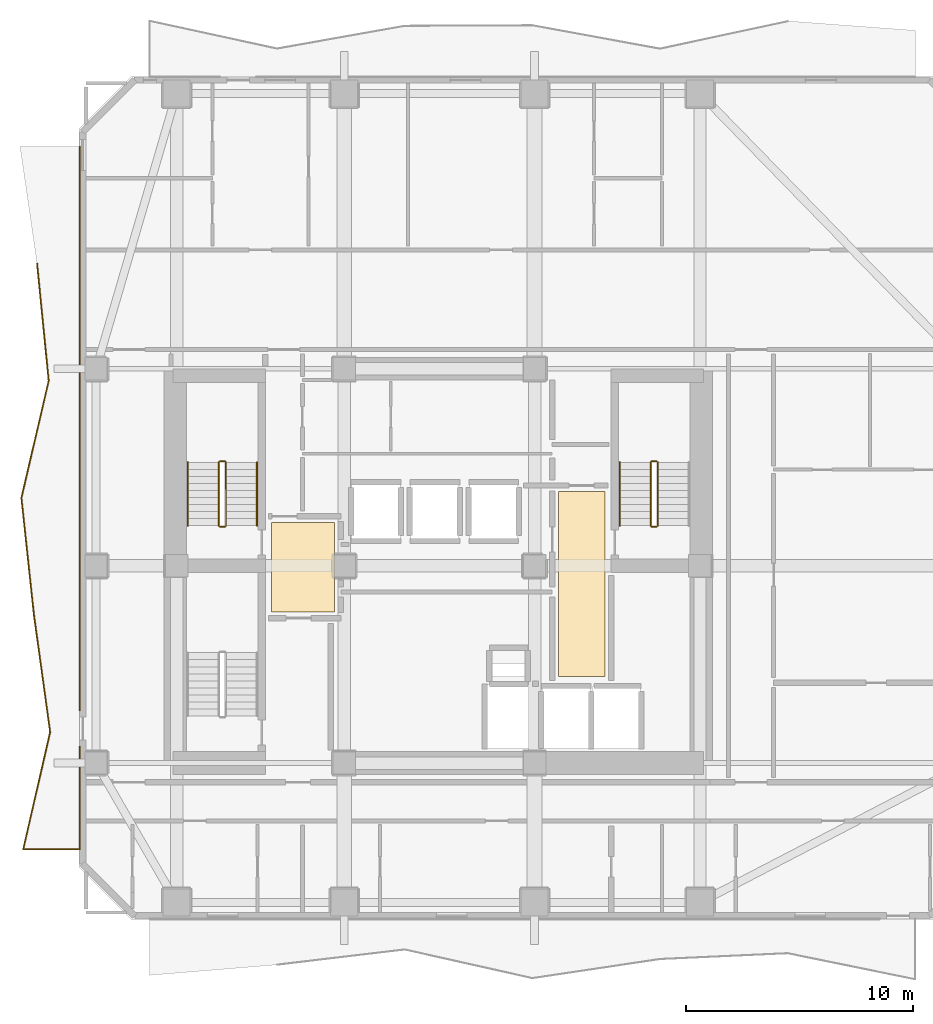
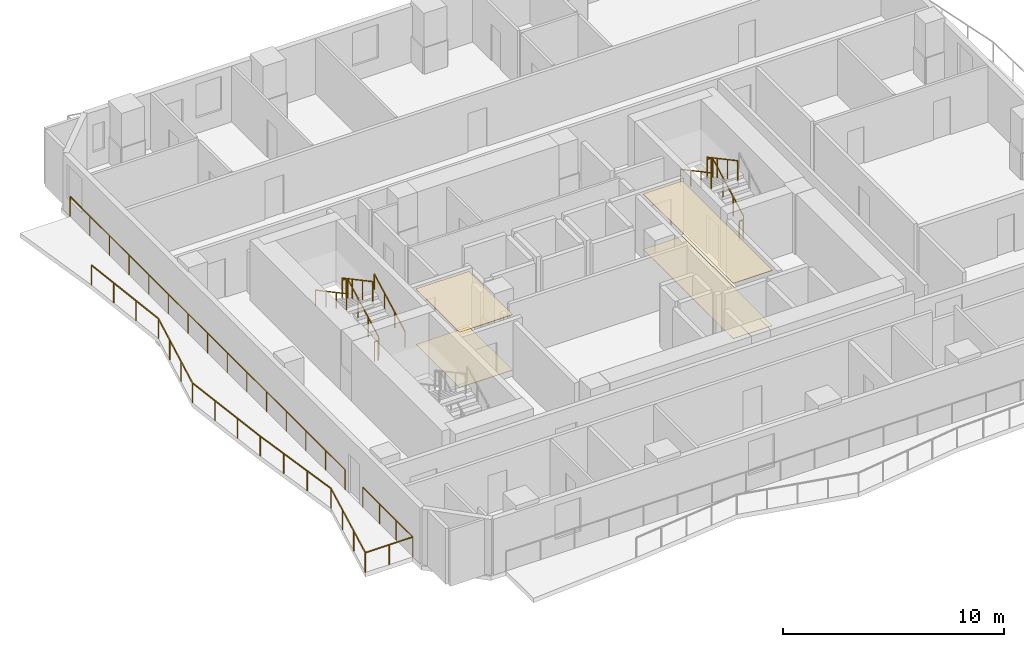
# One storey, part 8 of 9: 13 railings, 4 coverings.
"""IFC4 building model written with IfcOpenShell, lengths in metres."""

from ifc_helpers import new_model, si_unit, direction, frame, origin, origin_2d, place, context, subcontext, project, spatial, polyline, rectangle, outline, extrude, material, layer, layer_set, type_object, element, save


model = new_model("IFC4")

# Units and contexts
model_context = context("Model", 3, precision=1e-05, world=origin(), true_north=direction((0.0, 1.0)))
body_context = subcontext(model_context, "Body", "Model", "MODEL_VIEW")
ifc_project = project(units=[si_unit("LENGTHUNIT", "METRE"), si_unit("AREAUNIT", "SQUARE_METRE"), si_unit("VOLUMEUNIT", "CUBIC_METRE"), si_unit("PLANEANGLEUNIT", "RADIAN"), si_unit("MASSUNIT", "GRAM", prefix="KILO")], contexts=[model_context])

# Site, building, storey
site_placement = place(None, origin())
site = spatial("IfcSite", under=ifc_project, at=site_placement, CompositionType="ELEMENT")
building_placement = place(site_placement, origin())
building = spatial("IfcBuilding", under=site, at=building_placement, Name="Solanera Arch Residences", CompositionType="ELEMENT")
storey_placement = place(building_placement, frame((0.0, 0.0, 152.56005859375)))
storey = spatial("IfcBuildingStorey", under=building, at=storey_placement, Name="L44", CompositionType="ELEMENT", Elevation=152.56005859375)

# Railings
ifc_material_1 = material(Name="Steel S355 (ASTM A992 / A572 Grade 50)", Category="steel")
railing_type_1 = type_object("IfcRailingType", Name="Balustrade Railing BL-1100", PredefinedType="BALUSTRADE", material=ifc_material_1)
railing_1_placement = place(storey_placement, frame((7.242919921875, 44.032958984375, 0.0)))
element("IfcRailing", 1, at=railing_1_placement, inside=storey, type_object=railing_type_1, Name="L44 W Balcony Balustrade 1", PredefinedType="BALUSTRADE", context=body_context, shape_type="SweptSolid", body=[
    extrude(rectangle(XDim=0.048095703125, YDim=0.048095703125, at=origin_2d()), frame((0.0, 0.0, 1.09619140625), z_axis=(0.098618983175, -0.995125266566, 0.0), x_axis=(0.995125266566, 0.098618983175, 0.0)), (0.0, 0.0, 1.0), 5.19140625),
    extrude(rectangle(XDim=0.048095703125, YDim=0.048095703125, at=origin_2d()), frame((0.511962890625, -5.166015625, 1.09619140625), z_axis=(-0.227087056895, -0.973874462439, 0.0), x_axis=(0.973874462439, -0.227087056895, 0.0)), (0.0, 0.0, 1.0), 5.3056640625),
    extrude(rectangle(XDim=0.048095703125, YDim=0.048095703125, at=origin_2d()), frame((-0.69287109375, -10.3330078125, 1.09619140625), z_axis=(0.106599477138, -0.994302042376, 0.0), x_axis=(0.994302042376, 0.106599477138, 0.0)), (0.0, 0.0, 1.0), 5.196533203125),
    extrude(rectangle(XDim=0.048095703125, YDim=0.048095703125, at=origin_2d()), frame((-0.138916015625, -15.5, 1.09619140625), z_axis=(0.137114192798, -0.990555247391, 0.0), x_axis=(0.990555247391, 0.137114192798, 0.0)), (0.0, 0.0, 1.0), 5.21533203125),
    extrude(rectangle(XDim=0.048095703125, YDim=0.048095703125, at=origin_2d()), frame((0.576171875, -20.666015625, 1.09619140625), z_axis=(-0.223897510936, -0.974612694662, 0.0), x_axis=(0.974612694662, -0.223897510936, 0.0)), (0.0, 0.0, 1.0), 5.301513671875),
    extrude(rectangle(XDim=0.048095703125, YDim=0.048095703125, at=origin_2d()), frame((-0.61083984375, -25.8330078125, 1.09619140625), z_axis=(1.0, 0.0, 0.0), x_axis=(0.0, 1.0, 0.0)), (0.0, 0.0, 1.0), 2.488037109375),
    extrude(rectangle(XDim=0.048095703125, YDim=0.048095703125, at=origin_2d()), frame((1.877197265625, -25.8330078125, 1.09619140625), z_axis=(0.0, 1.0, 0.0), x_axis=(-1.0, 0.0, 0.0)), (0.0, 0.0, 1.0), 4.52197265625),
    extrude(rectangle(XDim=0.0419921875, YDim=0.0419921875, at=origin_2d()), origin(), (0.0, 0.0, 1.0), 1.072021484375),
    extrude(rectangle(XDim=0.0419921875, YDim=0.0419921875, at=origin_2d()), frame((0.170654296875, -1.721923828125, 0.0)), (0.0, 0.0, 1.0), 1.072021484375),
    extrude(rectangle(XDim=0.0419921875, YDim=0.0419921875, at=origin_2d()), frame((0.34130859375, -3.444091796875, 0.0)), (0.0, 0.0, 1.0), 1.072021484375),
    extrude(rectangle(XDim=0.0419921875, YDim=0.0419921875, at=origin_2d()), frame((0.511962890625, -5.166015625, 0.0)), (0.0, 0.0, 1.0), 1.072021484375),
    extrude(rectangle(XDim=0.0419921875, YDim=0.0419921875, at=origin_2d()), frame((0.1103515625, -6.888427734375, 0.0)), (0.0, 0.0, 1.0), 1.072021484375),
    extrude(rectangle(XDim=0.0419921875, YDim=0.0419921875, at=origin_2d()), frame((-0.291259765625, -8.610595703125, 0.0)), (0.0, 0.0, 1.0), 1.072021484375),
    extrude(rectangle(XDim=0.0419921875, YDim=0.0419921875, at=origin_2d()), frame((-0.69287109375, -10.3330078125, 0.0)), (0.0, 0.0, 1.0), 1.072021484375),
    extrude(rectangle(XDim=0.0419921875, YDim=0.0419921875, at=origin_2d()), frame((-0.50830078125, -12.055419921875, 0.0)), (0.0, 0.0, 1.0), 1.072021484375),
    extrude(rectangle(XDim=0.0419921875, YDim=0.0419921875, at=origin_2d()), frame((-0.323486328125, -13.777587890625, 0.0)), (0.0, 0.0, 1.0), 1.072021484375),
    extrude(rectangle(XDim=0.0419921875, YDim=0.0419921875, at=origin_2d()), frame((-0.138916015625, -15.5, 0.0)), (0.0, 0.0, 1.0), 1.072021484375),
    extrude(rectangle(XDim=0.0419921875, YDim=0.0419921875, at=origin_2d()), frame((0.099365234375, -17.221923828125, 0.0)), (0.0, 0.0, 1.0), 1.072021484375),
    extrude(rectangle(XDim=0.0419921875, YDim=0.0419921875, at=origin_2d()), frame((0.337890625, -18.944091796875, 0.0)), (0.0, 0.0, 1.0), 1.072021484375),
    extrude(rectangle(XDim=0.0419921875, YDim=0.0419921875, at=origin_2d()), frame((0.576171875, -20.666015625, 0.0)), (0.0, 0.0, 1.0), 1.072021484375),
    extrude(rectangle(XDim=0.0419921875, YDim=0.0419921875, at=origin_2d()), frame((0.180419921875, -22.388427734375, 0.0)), (0.0, 0.0, 1.0), 1.072021484375),
    extrude(rectangle(XDim=0.0419921875, YDim=0.0419921875, at=origin_2d()), frame((-0.215087890625, -24.110595703125, 0.0)), (0.0, 0.0, 1.0), 1.072021484375),
    extrude(rectangle(XDim=0.0419921875, YDim=0.0419921875, at=origin_2d()), frame((-0.61083984375, -25.8330078125, 0.0)), (0.0, 0.0, 1.0), 1.072021484375),
    extrude(rectangle(XDim=0.0419921875, YDim=0.0419921875, at=origin_2d()), frame((0.63330078125, -25.8330078125, 0.0)), (0.0, 0.0, 1.0), 1.072021484375),
    extrude(rectangle(XDim=0.0419921875, YDim=0.0419921875, at=origin_2d()), frame((1.877197265625, -25.8330078125, 0.0)), (0.0, 0.0, 1.0), 1.072021484375),
    extrude(rectangle(XDim=0.0419921875, YDim=0.0419921875, at=origin_2d()), frame((1.877197265625, -24.32568359375, 0.0)), (0.0, 0.0, 1.0), 1.072021484375),
    extrude(rectangle(XDim=0.0419921875, YDim=0.0419921875, at=origin_2d()), frame((1.877197265625, -22.818359375, 0.0)), (0.0, 0.0, 1.0), 1.072021484375),
    extrude(rectangle(XDim=0.0419921875, YDim=0.0419921875, at=origin_2d()), frame((1.877197265625, -21.31103515625, 0.0)), (0.0, 0.0, 1.0), 1.072021484375),
])
railing_2_placement = place(storey_placement, frame((9.1201171875, 24.322021484375, 0.0)))
element("IfcRailing", 2, at=railing_2_placement, inside=storey, type_object=railing_type_1, Name="L44 W Balcony Balustrade 2", PredefinedType="BALUSTRADE", context=body_context, shape_type="SweptSolid", body=[
    extrude(rectangle(XDim=0.048095703125, YDim=0.048095703125, at=origin_2d()), frame((0.0, 0.0, 1.09619140625), z_axis=(0.0, 1.0, 0.0), x_axis=(-1.0, 0.0, 0.0)), (0.0, 0.0, 1.0), 24.8779296875),
    extrude(rectangle(XDim=0.0419921875, YDim=0.0419921875, at=origin_2d()), origin(), (0.0, 0.0, 1.0), 1.072021484375),
    extrude(rectangle(XDim=0.0419921875, YDim=0.0419921875, at=origin_2d()), frame((0.0, 1.777099609375, 0.0)), (0.0, 0.0, 1.0), 1.072021484375),
    extrude(rectangle(XDim=0.0419921875, YDim=0.0419921875, at=origin_2d()), frame((0.0, 3.553955078125, 0.0)), (0.0, 0.0, 1.0), 1.072021484375),
    extrude(rectangle(XDim=0.0419921875, YDim=0.0419921875, at=origin_2d()), frame((0.0, 5.3310546875, 0.0)), (0.0, 0.0, 1.0), 1.072021484375),
    extrude(rectangle(XDim=0.0419921875, YDim=0.0419921875, at=origin_2d()), frame((0.0, 7.10791015625, 0.0)), (0.0, 0.0, 1.0), 1.072021484375),
    extrude(rectangle(XDim=0.0419921875, YDim=0.0419921875, at=origin_2d()), frame((0.0, 8.885009765625, 0.0)), (0.0, 0.0, 1.0), 1.072021484375),
    extrude(rectangle(XDim=0.0419921875, YDim=0.0419921875, at=origin_2d()), frame((0.0, 10.661865234375, 0.0)), (0.0, 0.0, 1.0), 1.072021484375),
    extrude(rectangle(XDim=0.0419921875, YDim=0.0419921875, at=origin_2d()), frame((0.0, 12.43896484375, 0.0)), (0.0, 0.0, 1.0), 1.072021484375),
    extrude(rectangle(XDim=0.0419921875, YDim=0.0419921875, at=origin_2d()), frame((0.0, 14.216064453125, 0.0)), (0.0, 0.0, 1.0), 1.072021484375),
    extrude(rectangle(XDim=0.0419921875, YDim=0.0419921875, at=origin_2d()), frame((0.0, 15.992919921875, 0.0)), (0.0, 0.0, 1.0), 1.072021484375),
    extrude(rectangle(XDim=0.0419921875, YDim=0.0419921875, at=origin_2d()), frame((0.0, 17.77001953125, 0.0)), (0.0, 0.0, 1.0), 1.072021484375),
    extrude(rectangle(XDim=0.0419921875, YDim=0.0419921875, at=origin_2d()), frame((0.0, 19.546875, 0.0)), (0.0, 0.0, 1.0), 1.072021484375),
    extrude(rectangle(XDim=0.0419921875, YDim=0.0419921875, at=origin_2d()), frame((0.0, 21.323974609375, 0.0)), (0.0, 0.0, 1.0), 1.072021484375),
    extrude(rectangle(XDim=0.0419921875, YDim=0.0419921875, at=origin_2d()), frame((0.0, 23.100830078125, 0.0)), (0.0, 0.0, 1.0), 1.072021484375),
    extrude(rectangle(XDim=0.0419921875, YDim=0.0419921875, at=origin_2d()), frame((0.0, 24.8779296875, 0.0)), (0.0, 0.0, 1.0), 1.072021484375),
])

# Coverings
ifc_material_2 = material(Name="Porcelain Acoustic Floor Tile", Category="ceramic")
ifc_layer_1 = layer(ifc_material_2, 0.02001953125)
ifc_layer_set_1 = layer_set([ifc_layer_1], Name="Porcelain Acoustic Floor Tile")
covering_type_1 = type_object("IfcCoveringType", Name="Porcelain Acoustic Floor Finish FLR-20", PredefinedType="FLOORING", material=ifc_layer_set_1)
covering_1_placement = place(storey_placement, origin())
element("IfcCovering", 3, at=covering_1_placement, inside=storey, type_object=covering_type_1, Name="L44-FFL-W Porcelain Floor Finish", PredefinedType="FLOORING", context=body_context, shape_type="SweptSolid", body=[
    extrude(outline(polyline([(20.375, 28.675048828125), (17.594970703125, 28.675048828125), (17.594970703125, 32.625), (20.375, 32.625), (20.375, 28.675048828125)])), origin(), (0.0, 0.0, 1.0), 0.02001953125),
])
covering_2_placement = place(storey_placement, origin())
element("IfcCovering", 4, at=covering_2_placement, inside=storey, type_object=covering_type_1, Name="L44-FFL-E Porcelain Floor Finish", PredefinedType="FLOORING", context=body_context, shape_type="SweptSolid", body=[
    extrude(outline(polyline([(32.304931640625, 25.824951171875), (30.25, 25.824951171875), (30.25, 33.97509765625), (32.304931640625, 33.97509765625), (32.304931640625, 25.824951171875)])), origin(), (0.0, 0.0, 1.0), 0.02001953125),
])

# Railings
ifc_material_3 = material(Name="Steel S355 (ASTM A992 / A572 Grade 50)", Category="steel")
railing_type_2 = type_object("IfcRailingType", Name="Stair Guardrail GR-1100", PredefinedType="GUARDRAIL", material=ifc_material_3)
railing_3_placement = place(storey_placement, frame((15.570068359375, 32.47998046875, 0.15087890625)))
element("IfcRailing", 5, at=railing_3_placement, inside=storey, type_object=railing_type_2, Name="L44 ST-T1 stair guard 1", PredefinedType="GUARDRAIL", context=body_context, shape_type="SweptSolid", body=[
    extrude(rectangle(XDim=0.048095703125, YDim=0.048095703125, at=origin_2d()), frame((0.0, 0.0, 1.076171875), z_axis=(0.0, 0.881548766853, 0.472092969298), x_axis=(-1.0, 0.0, 0.0)), (0.0, 0.0, 1.0), 3.1650390625),
    extrude(rectangle(XDim=0.0419921875, YDim=0.0419921875, at=origin_2d()), origin(), (0.0, 0.0, 1.0), 1.052001953125),
    extrude(rectangle(XDim=0.0419921875, YDim=0.0419921875, at=origin_2d()), frame((0.0, 0.929931640625, 0.498046875)), (0.0, 0.0, 1.0), 1.052001953125),
    extrude(rectangle(XDim=0.0419921875, YDim=0.0419921875, at=origin_2d()), frame((0.0, 1.860107421875, 0.99609375)), (0.0, 0.0, 1.0), 1.052001953125),
    extrude(rectangle(XDim=0.0419921875, YDim=0.0419921875, at=origin_2d()), frame((0.0, 2.7900390625, 1.494140625)), (0.0, 0.0, 1.0), 1.052001953125),
])
railing_4_placement = place(storey_placement, frame((15.52001953125, 35.320068359375, 1.64501953125)))
element("IfcRailing", 6, at=railing_4_placement, inside=storey, type_object=railing_type_2, Name="L44 ST-T1 stair guard 2", PredefinedType="GUARDRAIL", context=body_context, shape_type="SweptSolid", body=[
    extrude(rectangle(XDim=0.048095703125, YDim=0.048095703125, at=origin_2d()), frame((0.0, 0.0, 1.076171875), z_axis=(-1.0, 0.0, 0.0), x_axis=(0.0, -1.0, 0.0)), (0.0, 0.0, 1.0), 0.199951171875),
    extrude(rectangle(XDim=0.0419921875, YDim=0.0419921875, at=origin_2d()), origin(), (0.0, 0.0, 1.0), 1.052001953125),
    extrude(rectangle(XDim=0.0419921875, YDim=0.0419921875, at=origin_2d()), frame((-0.199951171875, 0.0, 0.0)), (0.0, 0.0, 1.0), 1.052001953125),
])
railing_5_placement = place(storey_placement, frame((15.27001953125, 35.27001953125, 1.81103515625)))
element("IfcRailing", 7, at=railing_5_placement, inside=storey, type_object=railing_type_2, Name="L44 ST-T1 stair guard 3", PredefinedType="GUARDRAIL", context=body_context, shape_type="SweptSolid", body=[
    extrude(rectangle(XDim=0.048095703125, YDim=0.048095703125, at=origin_2d()), frame((0.0, 0.0, 1.076171875), z_axis=(0.0, -0.881580869306, 0.472033018838), x_axis=(1.0, 0.0, 0.0)), (0.0, 0.0, 1.0), 3.164794921875),
    extrude(rectangle(XDim=0.0419921875, YDim=0.0419921875, at=origin_2d()), origin(), (0.0, 0.0, 1.0), 1.052001953125),
    extrude(rectangle(XDim=0.0419921875, YDim=0.0419921875, at=origin_2d()), frame((0.0, -0.929931640625, 0.498046875)), (0.0, 0.0, 1.0), 1.052001953125),
    extrude(rectangle(XDim=0.0419921875, YDim=0.0419921875, at=origin_2d()), frame((0.0, -1.860107421875, 0.995849609375)), (0.0, 0.0, 1.0), 1.052001953125),
    extrude(rectangle(XDim=0.0419921875, YDim=0.0419921875, at=origin_2d()), frame((0.0, -2.7900390625, 1.493896484375)), (0.0, 0.0, 1.0), 1.052001953125),
])
railing_6_placement = place(storey_placement, frame((15.52001953125, 32.429931640625, -0.01513671875)))
element("IfcRailing", 8, at=railing_6_placement, inside=storey, type_object=railing_type_2, Name="L44 ST-T1 stair guard 4", PredefinedType="GUARDRAIL", context=body_context, shape_type="SweptSolid", body=[
    extrude(rectangle(XDim=0.048095703125, YDim=0.048095703125, at=origin_2d()), frame((0.0, 0.0, 1.076171875), z_axis=(-1.0, 0.0, 0.0), x_axis=(0.0, -1.0, 0.0)), (0.0, 0.0, 1.0), 0.199951171875),
    extrude(rectangle(XDim=0.0419921875, YDim=0.0419921875, at=origin_2d()), origin(), (0.0, 0.0, 1.0), 1.052001953125),
    extrude(rectangle(XDim=0.0419921875, YDim=0.0419921875, at=origin_2d()), frame((-0.199951171875, 0.0, 0.0)), (0.0, 0.0, 1.0), 1.052001953125),
])
railing_7_placement = place(storey_placement, frame((34.6298828125, 32.47998046875, 0.15087890625)))
element("IfcRailing", 9, at=railing_7_placement, inside=storey, type_object=railing_type_2, Name="L44 ST-T2 stair guard 1", PredefinedType="GUARDRAIL", context=body_context, shape_type="SweptSolid", body=[
    extrude(rectangle(XDim=0.048095703125, YDim=0.048095703125, at=origin_2d()), frame((0.0, 0.0, 1.076171875), z_axis=(0.0, 0.881548766853, 0.472092969298), x_axis=(-1.0, 0.0, 0.0)), (0.0, 0.0, 1.0), 3.1650390625),
    extrude(rectangle(XDim=0.0419921875, YDim=0.0419921875, at=origin_2d()), origin(), (0.0, 0.0, 1.0), 1.052001953125),
    extrude(rectangle(XDim=0.0419921875, YDim=0.0419921875, at=origin_2d()), frame((0.0, 0.929931640625, 0.498046875)), (0.0, 0.0, 1.0), 1.052001953125),
    extrude(rectangle(XDim=0.0419921875, YDim=0.0419921875, at=origin_2d()), frame((0.0, 1.860107421875, 0.99609375)), (0.0, 0.0, 1.0), 1.052001953125),
    extrude(rectangle(XDim=0.0419921875, YDim=0.0419921875, at=origin_2d()), frame((0.0, 2.7900390625, 1.494140625)), (0.0, 0.0, 1.0), 1.052001953125),
])
railing_8_placement = place(storey_placement, frame((34.580078125, 35.320068359375, 1.64501953125)))
element("IfcRailing", 10, at=railing_8_placement, inside=storey, type_object=railing_type_2, Name="L44 ST-T2 stair guard 2", PredefinedType="GUARDRAIL", context=body_context, shape_type="SweptSolid", body=[
    extrude(rectangle(XDim=0.048095703125, YDim=0.048095703125, at=origin_2d()), frame((0.0, 0.0, 1.076171875), z_axis=(-1.0, 0.0, 0.0), x_axis=(0.0, -1.0, 0.0)), (0.0, 0.0, 1.0), 0.2001953125),
    extrude(rectangle(XDim=0.0419921875, YDim=0.0419921875, at=origin_2d()), origin(), (0.0, 0.0, 1.0), 1.052001953125),
    extrude(rectangle(XDim=0.0419921875, YDim=0.0419921875, at=origin_2d()), frame((-0.2001953125, 0.0, 0.0)), (0.0, 0.0, 1.0), 1.052001953125),
])
railing_9_placement = place(storey_placement, frame((34.330078125, 35.27001953125, 1.81103515625)))
element("IfcRailing", 11, at=railing_9_placement, inside=storey, type_object=railing_type_2, Name="L44 ST-T2 stair guard 3", PredefinedType="GUARDRAIL", context=body_context, shape_type="SweptSolid", body=[
    extrude(rectangle(XDim=0.048095703125, YDim=0.048095703125, at=origin_2d()), frame((0.0, 0.0, 1.076171875), z_axis=(0.0, -0.881580869306, 0.472033018838), x_axis=(1.0, 0.0, 0.0)), (0.0, 0.0, 1.0), 3.164794921875),
    extrude(rectangle(XDim=0.0419921875, YDim=0.0419921875, at=origin_2d()), origin(), (0.0, 0.0, 1.0), 1.052001953125),
    extrude(rectangle(XDim=0.0419921875, YDim=0.0419921875, at=origin_2d()), frame((0.0, -0.929931640625, 0.498046875)), (0.0, 0.0, 1.0), 1.052001953125),
    extrude(rectangle(XDim=0.0419921875, YDim=0.0419921875, at=origin_2d()), frame((0.0, -1.860107421875, 0.995849609375)), (0.0, 0.0, 1.0), 1.052001953125),
    extrude(rectangle(XDim=0.0419921875, YDim=0.0419921875, at=origin_2d()), frame((0.0, -2.7900390625, 1.493896484375)), (0.0, 0.0, 1.0), 1.052001953125),
])
railing_10_placement = place(storey_placement, frame((34.580078125, 32.429931640625, -0.01513671875)))
element("IfcRailing", 12, at=railing_10_placement, inside=storey, type_object=railing_type_2, Name="L44 ST-T2 stair guard 4", PredefinedType="GUARDRAIL", context=body_context, shape_type="SweptSolid", body=[
    extrude(rectangle(XDim=0.048095703125, YDim=0.048095703125, at=origin_2d()), frame((0.0, 0.0, 1.076171875), z_axis=(-1.0, 0.0, 0.0), x_axis=(0.0, -1.0, 0.0)), (0.0, 0.0, 1.0), 0.2001953125),
    extrude(rectangle(XDim=0.0419921875, YDim=0.0419921875, at=origin_2d()), origin(), (0.0, 0.0, 1.0), 1.052001953125),
    extrude(rectangle(XDim=0.0419921875, YDim=0.0419921875, at=origin_2d()), frame((-0.2001953125, 0.0, 0.0)), (0.0, 0.0, 1.0), 1.052001953125),
])
ifc_material_4 = material(Name="Steel S355 (ASTM A992 / A572 Grade 50)", Category="steel")
railing_type_3 = type_object("IfcRailingType", Name="Stair Wall Handrail HR-920", PredefinedType="HANDRAIL", material=ifc_material_4)
railing_11_placement = place(storey_placement, frame((16.949951171875, 32.47998046875, 0.166015625)))
element("IfcRailing", 13, at=railing_11_placement, inside=storey, type_object=railing_type_3, Name="L44 ST-T1 stair handrail 1", PredefinedType="HANDRAIL", context=body_context, shape_type="SweptSolid", body=[
    extrude(rectangle(XDim=0.048095703125, YDim=0.048095703125, at=origin_2d()), frame((0.0, 0.0, 0.8759765625), z_axis=(0.0, 0.881580869306, 0.472033018838), x_axis=(-1.0, 0.0, 0.0)), (0.0, 0.0, 1.0), 3.164794921875),
    extrude(rectangle(XDim=0.0419921875, YDim=0.0419921875, at=origin_2d()), origin(), (0.0, 0.0, 1.0), 0.851806640625),
    extrude(rectangle(XDim=0.0419921875, YDim=0.0419921875, at=origin_2d()), frame((0.0, 0.929931640625, 0.498046875)), (0.0, 0.0, 1.0), 0.851806640625),
    extrude(rectangle(XDim=0.0419921875, YDim=0.0419921875, at=origin_2d()), frame((0.0, 1.860107421875, 0.995849609375)), (0.0, 0.0, 1.0), 0.851806640625),
    extrude(rectangle(XDim=0.0419921875, YDim=0.0419921875, at=origin_2d()), frame((0.0, 2.7900390625, 1.493896484375)), (0.0, 0.0, 1.0), 0.851806640625),
])
for number, where, name in (
    (14, (13.889892578125, 35.27001953125, 1.825927734375), "L44 ST-T1 stair handrail 2"),
    (15, (32.949951171875, 35.27001953125, 1.825927734375), "L44 ST-T2 stair handrail 2"),
):
    element("IfcRailing", number, at=place(storey_placement, frame(where)), inside=storey, type_object=railing_type_3, Name=name, PredefinedType="HANDRAIL", context=body_context, shape_type="SweptSolid", body=[
        extrude(rectangle(XDim=0.048095703125, YDim=0.048095703125, at=origin_2d()), frame((0.0, 0.0, 0.8759765625), z_axis=(0.0, -0.881580869306, 0.472033018838), x_axis=(1.0, 0.0, 0.0)), (0.0, 0.0, 1.0), 3.164794921875),
        extrude(rectangle(XDim=0.0419921875, YDim=0.0419921875, at=origin_2d()), origin(), (0.0, 0.0, 1.0), 0.851806640625),
        extrude(rectangle(XDim=0.0419921875, YDim=0.0419921875, at=origin_2d()), frame((0.0, -0.929931640625, 0.498046875)), (0.0, 0.0, 1.0), 0.851806640625),
        extrude(rectangle(XDim=0.0419921875, YDim=0.0419921875, at=origin_2d()), frame((0.0, -1.860107421875, 0.995849609375)), (0.0, 0.0, 1.0), 0.851806640625),
        extrude(rectangle(XDim=0.0419921875, YDim=0.0419921875, at=origin_2d()), frame((0.0, -2.7900390625, 1.493896484375)), (0.0, 0.0, 1.0), 0.851806640625),
    ])

# Coverings
ifc_material_5 = material(Name="Mineral Fibre Acoustic Ceiling Board", Category="gypsum")
ifc_layer_2 = layer(ifc_material_5, 0.02490234375)
ifc_layer_set_2 = layer_set([ifc_layer_2], Name="Mineral Fibre Acoustic Ceiling Board")
covering_type_2 = type_object("IfcCoveringType", Name="Suspended Acoustic Ceiling Board CLG-25", PredefinedType="CEILING", material=ifc_layer_set_2)
covering_3_placement = place(storey_placement, frame((0.0, 0.0, 3.054931640625)))
element("IfcCovering", 16, at=covering_3_placement, inside=storey, type_object=covering_type_2, Name="L44-FFL-W Acoustic Ceiling", PredefinedType="CEILING", context=body_context, shape_type="SweptSolid", body=[
    extrude(outline(polyline([(20.375, 28.675048828125), (17.594970703125, 28.675048828125), (17.594970703125, 32.625), (20.375, 32.625), (20.375, 28.675048828125)])), origin(), (0.0, 0.0, 1.0), 0.02490234375),
])
covering_4_placement = place(storey_placement, frame((0.0, 0.0, 3.054931640625)))
element("IfcCovering", 17, at=covering_4_placement, inside=storey, type_object=covering_type_2, Name="L44-FFL-E Acoustic Ceiling", PredefinedType="CEILING", context=body_context, shape_type="SweptSolid", body=[
    extrude(outline(polyline([(32.304931640625, 25.824951171875), (30.25, 25.824951171875), (30.25, 33.97509765625), (32.304931640625, 33.97509765625), (32.304931640625, 25.824951171875)])), origin(), (0.0, 0.0, 1.0), 0.02490234375),
])

save(model, "model.ifc")
